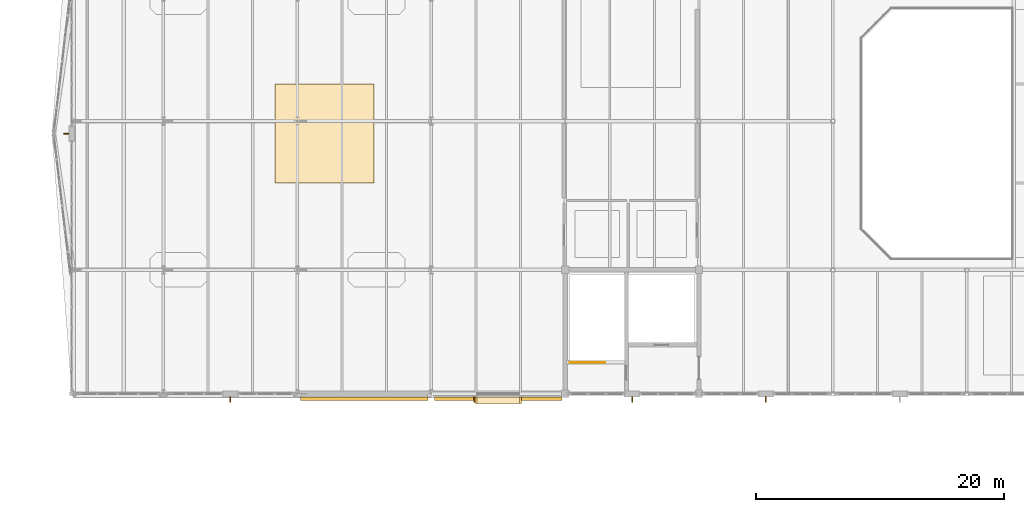
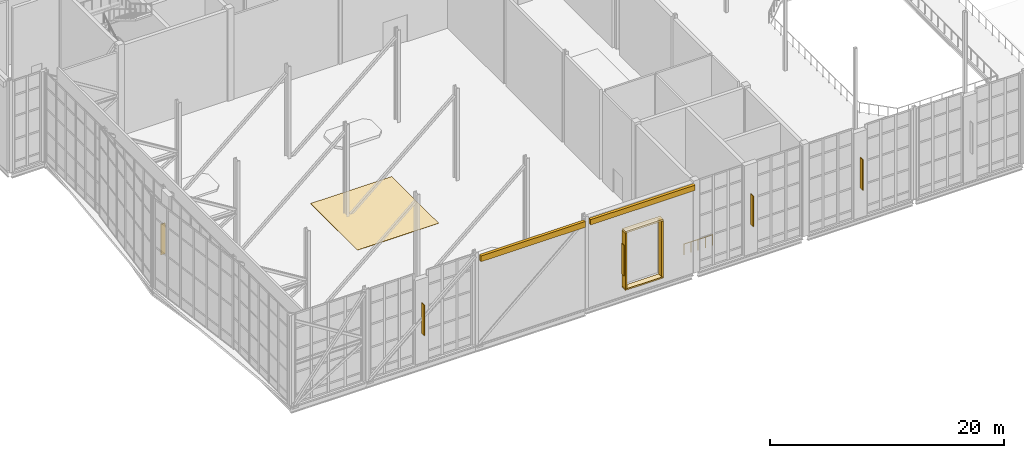
# One storey, part 91 of 100: 7 coverings, 5 shading devices, 1 railing.
"""IFC4 building model written with IfcOpenShell, lengths in metres."""

from ifc_helpers import new_model, si_unit, direction, frame, origin, origin_2d, place, context, subcontext, project, spatial, rectangle, circle, extrude, material, layer, layer_set, type_object, element, save


model = new_model("IFC4")

# Units and contexts
model_context = context("Model", 3, precision=1e-05, world=origin(), true_north=direction((0.0, 1.0)))
body_context = subcontext(model_context, "Body", "Model", "MODEL_VIEW")
ifc_project = project(units=[si_unit("LENGTHUNIT", "METRE"), si_unit("AREAUNIT", "SQUARE_METRE"), si_unit("VOLUMEUNIT", "CUBIC_METRE"), si_unit("PLANEANGLEUNIT", "RADIAN"), si_unit("MASSUNIT", "GRAM", prefix="KILO")], contexts=[model_context])

# Site, building, storey
site_placement = place(None, origin())
site = spatial("IfcSite", under=ifc_project, at=site_placement, CompositionType="ELEMENT")
building_placement = place(site_placement, origin())
building = spatial("IfcBuilding", under=site, at=building_placement, Name="Tasgan Crest Museum", CompositionType="ELEMENT")
storey_placement = place(building_placement, frame((0.0, 0.0, 14.39990234375)))
storey = spatial("IfcBuildingStorey", under=building, at=storey_placement, Name="L03", CompositionType="ELEMENT", Elevation=14.39990234375)

# Coverings
ifc_material_1 = material(Name="Polished Granite Terrazzo", Category="masonry")
ifc_layer_1 = layer(ifc_material_1, 0.030029296875, Name="COV-FLOOR-TERRAZZO")
ifc_layer_set_1 = layer_set([ifc_layer_1], Name="Polished Granite Terrazzo")
covering_type_1 = type_object("IfcCoveringType", Name="COV-FLOOR-TERRAZZO", PredefinedType="FLOORING", material=ifc_layer_set_1)
covering_1_placement = place(storey_placement, frame((23.800048828125, 61.0, 0.0), z_axis=(0.0, 0.0, 1.0), x_axis=(1.0, 0.0, 0.0)))
element("IfcCovering", 1, at=covering_1_placement, inside=storey, type_object=covering_type_1, Name="Grand Cantilevered Paleontology Dinosaur Hall floor finish", PredefinedType="FLOORING", context=body_context, shape_type="SweptSolid", body=[
    extrude(rectangle(XDim=8.0, YDim=8.0, at=origin_2d()), origin(), (0.0, 0.0, 1.0), 0.030029296875),
])
ifc_material_2 = material(Name="Honed Rose-Red Mongolian Granite", Category="masonry")
ifc_layer_2 = layer(ifc_material_2, 0.0400390625, Name="COV-GRANITE-ROSE")
ifc_layer_set_2 = layer_set([ifc_layer_2], Name="Honed Rose-Red Mongolian Granite")
covering_type_2 = type_object("IfcCoveringType", Name="COV-GRANITE-ROSE", PredefinedType="CLADDING", material=ifc_layer_set_2)
covering_2_placement = place(storey_placement, frame((27.0, 39.6201171875, 8.708984375), z_axis=(0.0, 0.0, 1.0), x_axis=(1.0, 0.0, 0.0)))
element("IfcCovering", 2, at=covering_2_placement, inside=storey, type_object=covering_type_2, Name="Stone frieze cladding L03", PredefinedType="CLADDING", context=body_context, shape_type="SweptSolid", body=[
    extrude(rectangle(XDim=10.31005859375, YDim=0.280029296875, at=origin_2d()), origin(), (0.0, 0.0, 1.0), 0.60107421875),
])
covering_3_placement = place(storey_placement, frame((37.800048828125, 39.6201171875, 8.76025390625), z_axis=(0.0, 0.0, 1.0), x_axis=(1.0, 0.0, 0.0)))
element("IfcCovering", 3, at=covering_3_placement, inside=storey, type_object=covering_type_2, Name="Stone frieze cladding L03", PredefinedType="CLADDING", context=body_context, shape_type="SweptSolid", body=[
    extrude(rectangle(XDim=10.31005859375, YDim=0.280029296875, at=origin_2d()), origin(), (0.0, 0.0, 1.0), 0.550048828125),
])
for number, where, z_axis, x_axis, name in (
    (4, (36.010009765625, 39.485107421875, 1.10009765625), (0.0, 0.0, 1.0), (1.0, 0.0, 0.0), "Deep window reveal jamb L03-059"),
    (5, (39.590087890625, 39.485107421875, 1.10009765625), (0.0, 0.0, 1.0), (1.0, 0.0, 0.0), "Deep window reveal jamb L03-059"),
):
    element("IfcCovering", number, at=place(storey_placement, frame(where, z_axis=z_axis, x_axis=x_axis)), inside=storey, type_object=covering_type_2, Name=name, PredefinedType="CLADDING", context=body_context, shape_type="SweptSolid", body=[
        extrude(rectangle(XDim=0.179931640625, YDim=0.550048828125, at=origin_2d()), origin(), (0.0, 0.0, 1.0), 5.800048828125),
    ])
ifc_material_3 = material(Name="Honed Buff Limestone", Category="masonry")
ifc_layer_3 = layer(ifc_material_3, 0.044921875, Name="COV-LIMESTONE-BUFF")
ifc_layer_set_3 = layer_set([ifc_layer_3], Name="Honed Buff Limestone")
covering_type_3 = type_object("IfcCoveringType", Name="COV-LIMESTONE-BUFF", PredefinedType="CLADDING", material=ifc_layer_set_3)
covering_4_placement = place(storey_placement, frame((37.800048828125, 39.485107421875, 6.89990234375), z_axis=(0.0, 0.0, 1.0), x_axis=(1.0, 0.0, 0.0)))
element("IfcCovering", 6, at=covering_4_placement, inside=storey, type_object=covering_type_3, Name="Deep window hood L03-059", PredefinedType="CLADDING", context=body_context, shape_type="SweptSolid", body=[
    extrude(rectangle(XDim=3.760009765625, YDim=0.550048828125, at=origin_2d()), origin(), (0.0, 0.0, 1.0), 0.179931640625),
])
covering_5_placement = place(storey_placement, frame((37.800048828125, 39.485107421875, 0.9599609375), z_axis=(0.0, 0.0, 1.0), x_axis=(1.0, 0.0, 0.0)))
element("IfcCovering", 7, at=covering_5_placement, inside=storey, type_object=covering_type_3, Name="Deep window sill L03-059", PredefinedType="CLADDING", context=body_context, shape_type="SweptSolid", body=[
    extrude(rectangle(XDim=3.760009765625, YDim=0.550048828125, at=origin_2d()), origin(), (0.0, 0.0, 1.0), 0.139892578125),
])

# Railing
ifc_material_4 = material(Name="Brushed Bronze and Toughened Glass", Category="glass")
railing_type = type_object("IfcRailingType", Name="RL-INT-GUARD-1120", PredefinedType="GUARDRAIL", material=ifc_material_4)
railing_placement = place(storey_placement, frame((43.580078125, 42.52001953125, 0.0)))
element("IfcRailing", 8, at=railing_placement, inside=storey, type_object=railing_type, Name="South-West Foyer & Paleontology Core top stairwell guard L03", PredefinedType="GUARDRAIL", context=body_context, shape_type="SweptSolid", body=[
    extrude(circle(Radius=0.02392578125, at=origin_2d()), frame((0.0, 0.0, 1.09619140625), z_axis=(1.0, 0.0, 0.0), x_axis=(0.0, 1.0, 0.0)), (0.0, 0.0, 1.0), 2.829833984375),
    extrude(circle(Radius=0.02099609375, at=origin_2d()), origin(), (0.0, 0.0, 1.0), 1.072021484375),
    extrude(circle(Radius=0.02099609375, at=origin_2d()), frame((0.70751953125, 0.0, 0.0)), (0.0, 0.0, 1.0), 1.072021484375),
    extrude(circle(Radius=0.02099609375, at=origin_2d()), frame((1.4150390625, 0.0, 0.0)), (0.0, 0.0, 1.0), 1.072021484375),
    extrude(circle(Radius=0.02099609375, at=origin_2d()), frame((2.122314453125, 0.0, 0.0)), (0.0, 0.0, 1.0), 1.072021484375),
    extrude(circle(Radius=0.02099609375, at=origin_2d()), frame((2.829833984375, 0.0, 0.0)), (0.0, 0.0, 1.0), 1.072021484375),
])

# Shading devices
ifc_material_5 = material(Name="Anodised Bronze Aluminium", Category="aluminium")
shading_device_type = type_object("IfcShadingDeviceType", Name="SH-FIN-V400", PredefinedType="JALOUSIE", material=ifc_material_5)
for number, where, z_axis, x_axis, name in (
    (9, (2.949951171875, 61.0, 3.080078125), (0.0, 0.0, 1.0), (0.0, -1.0, 0.0), "Facade pier solar fin L03"),
    (10, (16.199951171875, 39.550048828125, 3.080078125), (0.0, 0.0, 1.0), (1.0, 0.0, 0.0), "Facade pier solar fin L03"),
    (11, (35.8798828125, 39.550048828125, 2.39990234375), (0.0, 0.0, 1.0), (1.0, 0.0, 0.0), "Solar shading fin L03-059"),
    (12, (48.60009765625, 39.550048828125, 3.080078125), (0.0, 0.0, 1.0), (1.0, 0.0, 0.0), "Facade pier solar fin L03"),
    (13, (59.39990234375, 39.550048828125, 3.080078125), (0.0, 0.0, 1.0), (1.0, 0.0, 0.0), "Facade pier solar fin L03"),
):
    element("IfcShadingDevice", number, at=place(storey_placement, frame(where, z_axis=z_axis, x_axis=x_axis)), inside=storey, type_object=shading_device_type, Name=name, PredefinedType="JALOUSIE", context=body_context, shape_type="SweptSolid", body=[
        extrude(rectangle(XDim=0.080078125, YDim=0.419921875, at=origin_2d()), origin(), (0.0, 0.0, 1.0), 3.199951171875),
    ])

save(model, "model.ifc")
